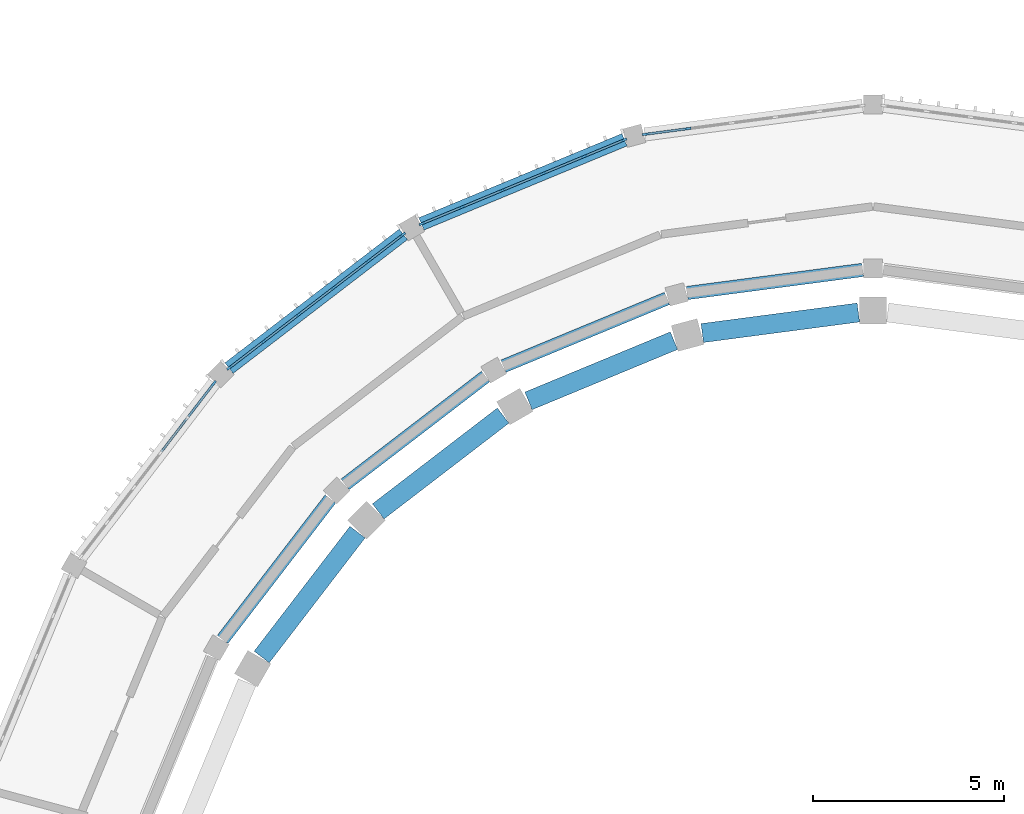
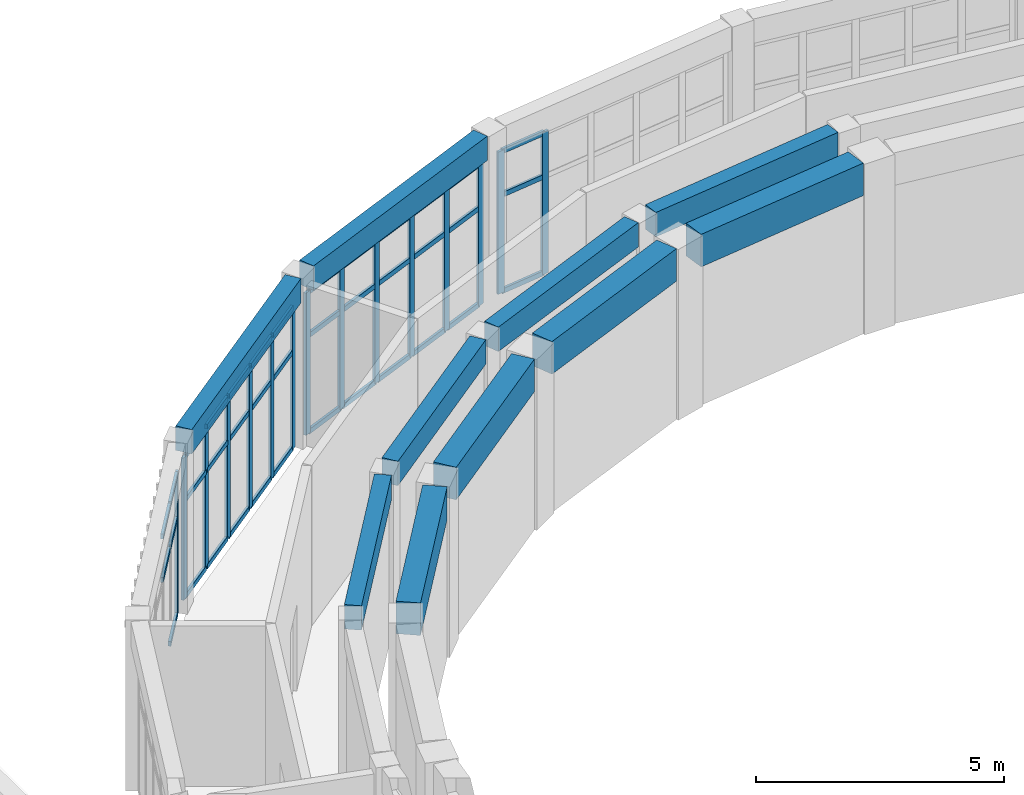
# One storey, part 19 of 99: 53 members, 10 beams, 4 elements without a shape of their own.
"""IFC4 building model written with IfcOpenShell, lengths in metres."""

import ifcopenshell
import ifcopenshell.guid

model = None  # the IFC model being written
_history = None  # IfcOwnerHistory: only IFC2X3 demands one
_inside = {}  # id of a spatial element -> (the spatial element, [elements in it])
_under = {}  # id of a project, library or spatial element -> (it, [spatial elements below it])
_declared = {}  # id of a project -> (the project, [libraries it declares])
_typed = {}  # id of a type object -> (the type object, [elements of that type])
_made_of = {}  # id of a material, layer set ... -> (it, [elements and type objects made of it])


def new_model(schema):
    """Start an empty IFC model of exactly this schema.

    Asked for "IFC4X3", IfcOpenShell would pick the latest addendum, in which some entities
    have other attributes; the version numbers below select the first issue.
    IFC2X3 requires an IfcOwnerHistory on every rooted entity: one is made here for all.
    """
    global model, _history
    if schema == "IFC4X3":
        model = ifcopenshell.file(schema_version=(4, 3, 0, 0))
    else:
        model = ifcopenshell.file(schema=schema)
    _inside.clear()
    _under.clear()
    _declared.clear()
    _typed.clear()
    _made_of.clear()
    _history = None
    if model.schema == "IFC2X3":
        org = make("IfcOrganization", Name="unknown")
        user = make(
            "IfcPersonAndOrganization",
            ThePerson=make("IfcPerson", FamilyName="unknown"),
            TheOrganization=org,
        )
        app = make(
            "IfcApplication",
            ApplicationDeveloper=org,
            Version="unknown",
            ApplicationFullName="unknown",
            ApplicationIdentifier="unknown",
        )
        _history = make(
            "IfcOwnerHistory",
            OwningUser=user,
            OwningApplication=app,
            ChangeAction="ADDED",
            CreationDate=0,
        )
    return model


def make(cls, **values):
    """One entity of the class cls with the attributes given. An attribute that is None is left unset."""
    return model.create_entity(
        cls, **{name: value for name, value in values.items() if value is not None}
    )


def rooted(cls, **values):
    """An entity with a GlobalId (a new one), such as an element, a storey or a relation."""
    return make(cls, GlobalId=ifcopenshell.guid.new(), OwnerHistory=_history, **values)


def si_unit(unit_type, name, prefix=None):
    """IfcSIUnit, for example si_unit("LENGTHUNIT", "METRE", prefix="MILLI")."""
    return make("IfcSIUnit", UnitType=unit_type, Prefix=prefix, Name=name)


def assignment(units):
    """IfcUnitAssignment: the units of a project."""
    return None if units is None else make("IfcUnitAssignment", Units=units)


def point(xyz):
    """IfcCartesianPoint."""
    return None if xyz is None else make("IfcCartesianPoint", Coordinates=xyz)


def direction(xyz):
    """IfcDirection."""
    return None if xyz is None else make("IfcDirection", DirectionRatios=xyz)


def frame(location, z_axis=None, x_axis=None):
    """IfcAxis2Placement3D, a coordinate frame: its origin and axes. An axis left out is left unset."""
    return make(
        "IfcAxis2Placement3D",
        Location=point(location),
        Axis=direction(z_axis),
        RefDirection=direction(x_axis),
    )


def frame_2d(location, x_axis=None):
    """IfcAxis2Placement2D, a coordinate frame in the plane: its origin and x axis."""
    return make(
        "IfcAxis2Placement2D", Location=point(location), RefDirection=direction(x_axis)
    )


def origin():
    """The frame at (0, 0, 0) with its axes left unset."""
    return frame((0.0, 0.0, 0.0))


def origin_2d():
    """The frame at (0, 0) in the plane with its x axis left unset."""
    return frame_2d((0.0, 0.0))


def place(relative_to, where):
    """IfcLocalPlacement: puts the frame where relative to a parent placement (None: the world)."""
    return make(
        "IfcLocalPlacement", PlacementRelTo=relative_to, RelativePlacement=where
    )


def context(
    kind, dimensions, precision=None, world=None, true_north=None, identifier=None
):
    """IfcGeometricRepresentationContext, for example the 3D "Model" context."""
    return make(
        "IfcGeometricRepresentationContext",
        ContextIdentifier=identifier,
        ContextType=kind,
        CoordinateSpaceDimension=dimensions,
        Precision=precision,
        WorldCoordinateSystem=world,
        TrueNorth=true_north,
    )


def subcontext(parent, identifier, kind, view, scale=None):
    """IfcGeometricRepresentationSubContext, for example "Body" below "Model"."""
    return make(
        "IfcGeometricRepresentationSubContext",
        ContextIdentifier=identifier,
        ContextType=kind,
        ParentContext=parent,
        TargetScale=scale,
        TargetView=view,
    )


def project(units=None, contexts=None):
    """IfcProject with its units and contexts."""
    return rooted(
        "IfcProject",
        Name="project",
        RepresentationContexts=contexts,
        UnitsInContext=assignment(units),
    )


def spatial(cls, under=None, at=None, **own):
    """A site, building, storey or space (cls), placed at a placement, below another one or the project."""
    s = rooted(cls, ObjectPlacement=at, **own)
    if under is not None:
        _under.setdefault(under.id(), (under, []))[1].append(s)
    return s


def profile(cls, at=None, kind="AREA", **sizes):
    """A parametric profile (cls). Its sizes go by their IFC names, for example OverallWidth=200.0."""
    return make(cls, ProfileType=kind, Position=at, **sizes)


def rectangle(**sizes):
    """IfcRectangleProfileDef."""
    return profile("IfcRectangleProfileDef", **sizes)


def extrude(swept, where, along, depth):
    """IfcExtrudedAreaSolid: the profile swept, set in the frame where, extruded along a direction by depth."""
    return make(
        "IfcExtrudedAreaSolid",
        SweptArea=swept,
        Position=where,
        ExtrudedDirection=direction(along),
        Depth=depth,
    )


def shape(context_of_items, identifier, shape_type, items):
    """IfcShapeRepresentation: the items that make up one representation, for example the "Body"."""
    return make(
        "IfcShapeRepresentation",
        ContextOfItems=context_of_items,
        RepresentationIdentifier=identifier,
        RepresentationType=shape_type,
        Items=items,
    )


def material(Name=None, Category=None):
    """IfcMaterial."""
    return make("IfcMaterial", Name=Name, Category=Category)


def layer(
    of_material, thickness, ventilated=None, Name=None, Category=None, Priority=None
):
    """IfcMaterialLayer: one layer of a wall or slab, of a material (None: an air gap)."""
    return make(
        "IfcMaterialLayer",
        Material=of_material,
        LayerThickness=thickness,
        IsVentilated=ventilated,
        Name=Name,
        Category=Category,
        Priority=Priority,
    )


def layer_set(layers, Name=None):
    """IfcMaterialLayerSet."""
    return make("IfcMaterialLayerSet", MaterialLayers=layers, LayerSetName=Name)


def material_profile(
    of_material, cross_section, Name=None, Category=None, Priority=None
):
    """IfcMaterialProfile: a cross section and its material."""
    return make(
        "IfcMaterialProfile",
        Name=Name,
        Material=of_material,
        Profile=cross_section,
        Priority=Priority,
        Category=Category,
    )


def profile_set(profiles, Name=None, composite=None):
    """IfcMaterialProfileSet."""
    return make(
        "IfcMaterialProfileSet",
        Name=Name,
        MaterialProfiles=profiles,
        CompositeProfile=composite,
    )


def made_of(thing, what):
    """Note that an element or type object is made of a material, layer set ...; save() writes the relation."""
    if what is not None:
        _made_of.setdefault(what.id(), (what, []))[1].append(thing)
    return thing


def type_object(cls, material=None, **own):
    """A type object (cls), such as IfcWallType, which elements share."""
    return made_of(rooted(cls, **own), material)


def element(
    cls,
    number,
    at=None,
    inside=None,
    cuts=None,
    type_object=None,
    material=None,
    context=None,
    identifier="Body",
    shape_type=None,
    held_by="IfcProductDefinitionShape",
    body=None,
    shapes=None,
    **own,
):
    """One element of the class cls, such as IfcWall. Its Tag is "e" and its number.

    at: its placement. inside: the storey or other place that contains it. cuts: it is an
    opening in that element (IfcRelVoidsElement). A single representation is given by context,
    identifier, shape_type and body (its items); several are given by shapes. held_by: the class
    of the entity that holds the representations. save() writes the other relations.
    """
    e = rooted(cls, Tag="e%d" % number, ObjectPlacement=at, **own)
    if body is not None:
        shapes = [shape(context, identifier, shape_type, body)]
    if shapes is not None:
        e.Representation = make(held_by, Representations=shapes)
    if inside is not None:
        _inside.setdefault(inside.id(), (inside, []))[1].append(e)
    if cuts is not None:
        rooted(
            "IfcRelVoidsElement", RelatingBuildingElement=cuts, RelatedOpeningElement=e
        )
    if type_object is not None:
        _typed.setdefault(type_object.id(), (type_object, []))[1].append(e)
    return made_of(e, material)


def aggregate(whole, parts):
    """IfcRelAggregates: a whole, such as a stair, and the parts it consists of."""
    return rooted("IfcRelAggregates", RelatingObject=whole, RelatedObjects=parts)


def save(model, path):
    """Write the relations noted so far, then the file.

    IfcRelAggregates (storeys below a building ...), IfcRelContainedInSpatialStructure (elements
    in a storey), IfcRelDefinesByType, IfcRelAssociatesMaterial and IfcRelDeclares: one each for
    every whole, place, type object, material and project.
    """
    for whole, parts in _under.values():
        aggregate(whole, parts)
    for where, things in _inside.values():
        rooted(
            "IfcRelContainedInSpatialStructure",
            RelatedElements=things,
            RelatingStructure=where,
        )
    for kind, things in _typed.values():
        rooted("IfcRelDefinesByType", RelatedObjects=things, RelatingType=kind)
    for what, things in _made_of.values():
        rooted("IfcRelAssociatesMaterial", RelatedObjects=things, RelatingMaterial=what)
    for by, libraries in _declared.values():
        rooted("IfcRelDeclares", RelatingContext=by, RelatedDefinitions=libraries)
    model.write(path)


model = new_model("IFC4")

# Units and contexts
model_context = context("Model", 3, precision=1e-05, world=origin(), true_north=direction((0.0, 1.0)))
body_context = subcontext(model_context, "Body", "Model", "MODEL_VIEW")
ifc_project = project(units=[si_unit("LENGTHUNIT", "METRE"), si_unit("AREAUNIT", "SQUARE_METRE"), si_unit("VOLUMEUNIT", "CUBIC_METRE"), si_unit("PLANEANGLEUNIT", "RADIAN"), si_unit("MASSUNIT", "GRAM", prefix="KILO")], contexts=[model_context])

# Site, building, storey
site_placement = place(None, origin())
site = spatial("IfcSite", under=ifc_project, at=site_placement, CompositionType="ELEMENT")
building_placement = place(site_placement, origin())
building = spatial("IfcBuilding", under=site, at=building_placement, Name="Wasatch Bagh Community Centre", CompositionType="ELEMENT")
storey_placement = place(building_placement, frame((0.0, 0.0, 4.199951171875)))
storey = spatial("IfcBuildingStorey", under=building, at=storey_placement, Name="L01", CompositionType="ELEMENT", Elevation=4.199951171875)

# Curtain wall, members
ifc_material_1 = material(Name="Aluminium curtain wall frame with low-iron insulated glass", Category="aluminium")
ifc_layer = layer(ifc_material_1, 0.14990234375)
ifc_layer_set = layer_set([ifc_layer], Name="Aluminium curtain wall frame with low-iron insulated glass")
curtain_wall_type = type_object("IfcCurtainWallType", Name="Drum curtain wall DR-CW2", PredefinedType="NOTDEFINED", material=ifc_layer_set)
curtain_wall_1_placement = place(storey_placement, origin())
curtain_wall_1 = element("IfcCurtainWall", 1, at=curtain_wall_1_placement, inside=storey, type_object=curtain_wall_type, Name="Curtain wall DR-CW2 25", PredefinedType="NOTDEFINED")
ifc_material_2 = material(Name="Aluminium curtain wall frame", Category="aluminium")
ifc_material_profile_1 = material_profile(ifc_material_2, rectangle(XDim=0.06005859375, YDim=0.159912109375, at=origin_2d()), Name="Drum mullion DR-CW2")
ifc_profile_set_1 = profile_set([ifc_material_profile_1], Name="Aluminium curtain wall frame")
member_type_1 = type_object("IfcMemberType", Name="Drum mullion DR-CW2", PredefinedType="MULLION", material=ifc_profile_set_1)
member_1_placement = place(storey_placement, frame((31.15576171875, 88.51220703125, 0.0), z_axis=(0.0, 0.0, 1.0), x_axis=(0.130526192185, -0.991444861378, 0.0)))
member_1 = element("IfcMember", 2, at=member_1_placement, type_object=member_type_1, Name="DR-CW2 mullion 5", PredefinedType="MULLION", context=body_context, shape_type="SweptSolid", body=[
    extrude(rectangle(XDim=0.06005859375, YDim=0.159912109375, at=origin_2d()), origin(), (0.0, 0.0, 1.0), 3.5),
])
member_2_placement = place(storey_placement, frame((30.03955078125, 88.365234375, 0.0), z_axis=(0.0, 0.0, 1.0), x_axis=(0.130526192185, -0.991444861378, 0.0)))
member_2 = element("IfcMember", 3, at=member_2_placement, type_object=member_type_1, Name="DR-CW2 mullion 6", PredefinedType="MULLION", context=body_context, shape_type="SweptSolid", body=[
    extrude(rectangle(XDim=0.06005859375, YDim=0.159912109375, at=origin_2d()), origin(), (0.0, 0.0, 1.0), 3.5),
])

curtain_wall_2_placement = place(storey_placement, origin())
curtain_wall_2 = element("IfcCurtainWall", 4, at=curtain_wall_2_placement, inside=storey, type_object=curtain_wall_type, Name="Curtain wall DR-CW2 26", PredefinedType="NOTDEFINED")
member_3_placement = place(storey_placement, frame((29.479248046875, 88.215087890625, 0.0), z_axis=(0.0, 0.0, 1.0), x_axis=(0.38268343251, -0.923879532451, 0.0)))
member_3 = element("IfcMember", 5, at=member_3_placement, type_object=member_type_1, Name="DR-CW2 mullion 1", PredefinedType="MULLION", context=body_context, shape_type="SweptSolid", body=[
    extrude(rectangle(XDim=0.06005859375, YDim=0.159912109375, at=origin_2d()), origin(), (0.0, 0.0, 1.0), 3.5),
])
member_4_placement = place(storey_placement, frame((28.439208984375, 87.784423828125, 0.0), z_axis=(0.0, 0.0, 1.0), x_axis=(0.38268343251, -0.923879532451, 0.0)))
member_4 = element("IfcMember", 6, at=member_4_placement, type_object=member_type_1, Name="DR-CW2 mullion 2", PredefinedType="MULLION", context=body_context, shape_type="SweptSolid", body=[
    extrude(rectangle(XDim=0.06005859375, YDim=0.159912109375, at=origin_2d()), origin(), (0.0, 0.0, 1.0), 3.5),
])
member_5_placement = place(storey_placement, frame((27.37109375, 87.342041015625, 0.0), z_axis=(0.0, 0.0, 1.0), x_axis=(0.38268343251, -0.923879532451, 0.0)))
member_5 = element("IfcMember", 7, at=member_5_placement, type_object=member_type_1, Name="DR-CW2 mullion 3", PredefinedType="MULLION", context=body_context, shape_type="SweptSolid", body=[
    extrude(rectangle(XDim=0.06005859375, YDim=0.159912109375, at=origin_2d()), origin(), (0.0, 0.0, 1.0), 3.5),
])
member_6_placement = place(storey_placement, frame((26.30322265625, 86.899658203125, 0.0), z_axis=(0.0, 0.0, 1.0), x_axis=(0.38268343251, -0.923879532451, 0.0)))
member_6 = element("IfcMember", 8, at=member_6_placement, type_object=member_type_1, Name="DR-CW2 mullion 4", PredefinedType="MULLION", context=body_context, shape_type="SweptSolid", body=[
    extrude(rectangle(XDim=0.06005859375, YDim=0.159912109375, at=origin_2d()), origin(), (0.0, 0.0, 1.0), 3.5),
])
member_7_placement = place(storey_placement, frame((25.2353515625, 86.457275390625, 0.0), z_axis=(0.0, 0.0, 1.0), x_axis=(0.38268343251, -0.923879532451, 0.0)))
member_7 = element("IfcMember", 9, at=member_7_placement, type_object=member_type_1, Name="DR-CW2 mullion 5", PredefinedType="MULLION", context=body_context, shape_type="SweptSolid", body=[
    extrude(rectangle(XDim=0.06005859375, YDim=0.159912109375, at=origin_2d()), origin(), (0.0, 0.0, 1.0), 3.5),
])
member_8_placement = place(storey_placement, frame((24.1953125, 86.0263671875, 0.0), z_axis=(0.0, 0.0, 1.0), x_axis=(0.38268343251, -0.923879532451, 0.0)))
member_8 = element("IfcMember", 10, at=member_8_placement, type_object=member_type_1, Name="DR-CW2 mullion 6", PredefinedType="MULLION", context=body_context, shape_type="SweptSolid", body=[
    extrude(rectangle(XDim=0.06005859375, YDim=0.159912109375, at=origin_2d()), origin(), (0.0, 0.0, 1.0), 3.5),
])

curtain_wall_3_placement = place(storey_placement, origin())
curtain_wall_3 = element("IfcCurtainWall", 11, at=curtain_wall_3_placement, inside=storey, type_object=curtain_wall_type, Name="Curtain wall DR-CW2 27", PredefinedType="NOTDEFINED")
member_9_placement = place(storey_placement, frame((23.69287109375, 85.736328125, 0.0), z_axis=(0.0, 0.0, 1.0), x_axis=(0.608761429133, -0.793353340196, 0.0)))
member_9 = element("IfcMember", 12, at=member_9_placement, type_object=member_type_1, Name="DR-CW2 mullion 1", PredefinedType="MULLION", context=body_context, shape_type="SweptSolid", body=[
    extrude(rectangle(XDim=0.06005859375, YDim=0.159912109375, at=origin_2d()), origin(), (0.0, 0.0, 1.0), 3.5),
])
member_10_placement = place(storey_placement, frame((22.7998046875, 85.051025390625, 0.0), z_axis=(0.0, 0.0, 1.0), x_axis=(0.608761429133, -0.793353340196, 0.0)))
member_10 = element("IfcMember", 13, at=member_10_placement, type_object=member_type_1, Name="DR-CW2 mullion 2", PredefinedType="MULLION", context=body_context, shape_type="SweptSolid", body=[
    extrude(rectangle(XDim=0.06005859375, YDim=0.159912109375, at=origin_2d()), origin(), (0.0, 0.0, 1.0), 3.5),
])
member_11_placement = place(storey_placement, frame((21.8828125, 84.347412109375, 0.0), z_axis=(0.0, 0.0, 1.0), x_axis=(0.608761429133, -0.793353340196, 0.0)))
member_11 = element("IfcMember", 14, at=member_11_placement, type_object=member_type_1, Name="DR-CW2 mullion 3", PredefinedType="MULLION", context=body_context, shape_type="SweptSolid", body=[
    extrude(rectangle(XDim=0.06005859375, YDim=0.159912109375, at=origin_2d()), origin(), (0.0, 0.0, 1.0), 3.5),
])
member_12_placement = place(storey_placement, frame((20.965576171875, 83.643798828125, 0.0), z_axis=(0.0, 0.0, 1.0), x_axis=(0.608761429133, -0.793353340196, 0.0)))
member_12 = element("IfcMember", 15, at=member_12_placement, type_object=member_type_1, Name="DR-CW2 mullion 4", PredefinedType="MULLION", context=body_context, shape_type="SweptSolid", body=[
    extrude(rectangle(XDim=0.06005859375, YDim=0.159912109375, at=origin_2d()), origin(), (0.0, 0.0, 1.0), 3.5),
])
member_13_placement = place(storey_placement, frame((20.048583984375, 82.940185546875, 0.0), z_axis=(0.0, 0.0, 1.0), x_axis=(0.608761429133, -0.793353340196, 0.0)))
member_13 = element("IfcMember", 16, at=member_13_placement, type_object=member_type_1, Name="DR-CW2 mullion 5", PredefinedType="MULLION", context=body_context, shape_type="SweptSolid", body=[
    extrude(rectangle(XDim=0.06005859375, YDim=0.159912109375, at=origin_2d()), origin(), (0.0, 0.0, 1.0), 3.5),
])
member_14_placement = place(storey_placement, frame((19.155517578125, 82.254638671875, 0.0), z_axis=(0.0, 0.0, 1.0), x_axis=(0.608761429133, -0.793353340196, 0.0)))
member_14 = element("IfcMember", 17, at=member_14_placement, type_object=member_type_1, Name="DR-CW2 mullion 6", PredefinedType="MULLION", context=body_context, shape_type="SweptSolid", body=[
    extrude(rectangle(XDim=0.06005859375, YDim=0.159912109375, at=origin_2d()), origin(), (0.0, 0.0, 1.0), 3.5),
])

# Curtain wall, member
curtain_wall_4_placement = place(storey_placement, origin())
curtain_wall_4 = element("IfcCurtainWall", 18, at=curtain_wall_4_placement, inside=storey, type_object=curtain_wall_type, Name="Curtain wall DR-CW2 28", PredefinedType="NOTDEFINED")
member_15_placement = place(storey_placement, frame((18.745361328125, 81.844482421875, 0.0), z_axis=(0.0, 0.0, 1.0), x_axis=(0.793353340196, -0.608761429133, 0.0)))
member_15 = element("IfcMember", 19, at=member_15_placement, type_object=member_type_1, Name="DR-CW2 mullion 1", PredefinedType="MULLION", context=body_context, shape_type="SweptSolid", body=[
    extrude(rectangle(XDim=0.06005859375, YDim=0.159912109375, at=origin_2d()), origin(), (0.0, 0.0, 1.0), 3.5),
])

# Beams
ifc_material_3 = material(Name="Concrete C35", Category="concrete")
ifc_material_profile_2 = material_profile(ifc_material_3, rectangle(XDim=0.35009765625, YDim=0.60009765625, at=origin_2d()), Name="RC 350x600")
ifc_profile_set_2 = profile_set([ifc_material_profile_2], Name="Concrete C35")
beam_type_1 = type_object("IfcBeamType", Name="Drum ring beam RC 350x600", PredefinedType="BEAM", material=ifc_profile_set_2)
beam_1_placement = place(storey_placement, frame((35.7265625, 84.81396484375, 3.900146484375), z_axis=(-0.99144891089, -0.130495429401, 0.0), x_axis=(0.130495429401, -0.99144891089, 0.0)))
element("IfcBeam", 20, at=beam_1_placement, inside=storey, type_object=beam_type_1, Name="Ring beam 8.4 DI-N6-DI-N7", PredefinedType="BEAM", context=body_context, shape_type="SweptSolid", body=[
    extrude(rectangle(XDim=0.35009765625, YDim=0.60009765625, at=origin_2d()), origin(), (0.0, 0.0, 1.0), 4.63037109375),
])
beam_2_placement = place(storey_placement, frame((30.607666015625, 84.068115234375, 3.900146484375), z_axis=(-0.923884458327, -0.382671540178, 0.0), x_axis=(0.382671540178, -0.923884458327, 0.0)))
element("IfcBeam", 21, at=beam_2_placement, inside=storey, type_object=beam_type_1, Name="Ring beam 8.4 DI-N7-DI-N8", PredefinedType="BEAM", context=body_context, shape_type="SweptSolid", body=[
    extrude(rectangle(XDim=0.35009765625, YDim=0.60009765625, at=origin_2d()), origin(), (0.0, 0.0, 1.0), 4.630615234375),
])
for number, where, z_axis, x_axis, name in (
    (22, (25.856201171875, 82.022705078125, 3.900146484375), (-0.793352555691, -0.608762451519, 0.0), (0.608762451519, -0.793352555691, 0.0), "Ring beam 8.4 DI-N8-DI-N9"),
    (23, (21.796142578125, 78.8173828125, 3.900146484375), (-0.608762451519, -0.793352555691, 0.0), (0.793352555691, -0.608762451519, 0.0), "Ring beam 8.4 DI-N9-DI-N10"),
):
    element("IfcBeam", number, at=place(storey_placement, frame(where, z_axis=z_axis, x_axis=x_axis)), inside=storey, type_object=beam_type_1, Name=name, PredefinedType="BEAM", context=body_context, shape_type="SweptSolid", body=[
        extrude(rectangle(XDim=0.35009765625, YDim=0.60009765625, at=origin_2d()), origin(), (0.0, 0.0, 1.0), 4.63037109375),
    ])
beam_3_placement = place(storey_placement, frame((29.494873046875, 88.2216796875, 3.900146484375), z_axis=(-0.923877183952, -0.38268910224, 0.0), x_axis=(0.38268910224, -0.923877183952, 0.0)))
element("IfcBeam", 24, at=beam_3_placement, inside=storey, type_object=beam_type_1, Name="Ring beam 8.4 DO-N7-DO-N8", PredefinedType="BEAM", context=body_context, shape_type="SweptSolid", body=[
    extrude(rectangle(XDim=0.35009765625, YDim=0.60009765625, at=origin_2d()), origin(), (0.0, 0.0, 1.0), 5.753173828125),
])
beam_4_placement = place(storey_placement, frame((23.706298828125, 85.74658203125, 3.900146484375), z_axis=(-0.793356989288, -0.608756673514, 0.0), x_axis=(0.608756673514, -0.793356989288, 0.0)))
element("IfcBeam", 25, at=beam_4_placement, inside=storey, type_object=beam_type_1, Name="Ring beam 8.4 DO-N8-DO-N9", PredefinedType="BEAM", context=body_context, shape_type="SweptSolid", body=[
    extrude(rectangle(XDim=0.35009765625, YDim=0.60009765625, at=origin_2d()), origin(), (0.0, 0.0, 1.0), 5.7529296875),
])

# Member
ifc_material_profile_3 = material_profile(ifc_material_2, rectangle(XDim=0.06005859375, YDim=0.1201171875, at=origin_2d()), Name="Drum transom DR-CW2")
ifc_profile_set_3 = profile_set([ifc_material_profile_3], Name="Aluminium curtain wall frame")
member_type_2 = type_object("IfcMemberType", Name="Drum transom DR-CW2", PredefinedType="USERDEFINED", material=ifc_profile_set_3)
member_16_placement = place(storey_placement, frame((31.1259765625, 88.50830078125, 0.030029296875), z_axis=(-0.991438694485, -0.130573025845, 0.0), x_axis=(0.130573025845, -0.991438694485, 0.0)))
member_16 = element("IfcMember", 26, at=member_16_placement, type_object=member_type_2, Name="DR-CW2 transom 5.1", ObjectType="TRANSOM", PredefinedType="USERDEFINED", context=body_context, shape_type="SweptSolid", body=[
    extrude(rectangle(XDim=0.06005859375, YDim=0.1201171875, at=origin_2d()), origin(), (0.0, 0.0, 1.0), 1.065673828125),
])

member_17_placement = place(storey_placement, frame((31.1259765625, 88.50830078125, 2.400146484375), z_axis=(-0.991438694485, -0.130573025845, 0.0), x_axis=(0.130573025845, -0.991438694485, 0.0)))
member_17 = element("IfcMember", 27, at=member_17_placement, type_object=member_type_2, Name="DR-CW2 transom 5.2", ObjectType="TRANSOM", PredefinedType="USERDEFINED", context=body_context, shape_type="SweptSolid", body=[
    extrude(rectangle(XDim=0.06005859375, YDim=0.1201171875, at=origin_2d()), origin(), (0.0, 0.0, 1.0), 1.065673828125),
])

member_18_placement = place(storey_placement, frame((31.1259765625, 88.50830078125, 3.469970703125), z_axis=(-0.991438694485, -0.130573025845, 0.0), x_axis=(0.130573025845, -0.991438694485, 0.0)))
member_18 = element("IfcMember", 28, at=member_18_placement, type_object=member_type_2, Name="DR-CW2 transom 5.3", ObjectType="TRANSOM", PredefinedType="USERDEFINED", context=body_context, shape_type="SweptSolid", body=[
    extrude(rectangle(XDim=0.06005859375, YDim=0.1201171875, at=origin_2d()), origin(), (0.0, 0.0, 1.0), 1.065673828125),
])

aggregate(curtain_wall_1, [member_1, member_2, member_16, member_17, member_18])

member_19_placement = place(storey_placement, frame((29.45166015625, 88.20361328125, 0.030029296875), z_axis=(-0.923955432606, -0.382500141907, 0.0), x_axis=(0.382500141907, -0.923955432606, 0.0)))
member_19 = element("IfcMember", 29, at=member_19_placement, type_object=member_type_2, Name="DR-CW2 transom 1.1", ObjectType="TRANSOM", PredefinedType="USERDEFINED", context=body_context, shape_type="SweptSolid", body=[
    extrude(rectangle(XDim=0.06005859375, YDim=0.1201171875, at=origin_2d()), origin(), (0.0, 0.0, 1.0), 1.06591796875),
])

member_20_placement = place(storey_placement, frame((29.45166015625, 88.20361328125, 2.400146484375), z_axis=(-0.923955432606, -0.382500141907, 0.0), x_axis=(0.382500141907, -0.923955432606, 0.0)))
member_20 = element("IfcMember", 30, at=member_20_placement, type_object=member_type_2, Name="DR-CW2 transom 1.2", ObjectType="TRANSOM", PredefinedType="USERDEFINED", context=body_context, shape_type="SweptSolid", body=[
    extrude(rectangle(XDim=0.06005859375, YDim=0.1201171875, at=origin_2d()), origin(), (0.0, 0.0, 1.0), 1.06591796875),
])

member_21_placement = place(storey_placement, frame((29.45166015625, 88.20361328125, 3.469970703125), z_axis=(-0.923955432606, -0.382500141907, 0.0), x_axis=(0.382500141907, -0.923955432606, 0.0)))
member_21 = element("IfcMember", 31, at=member_21_placement, type_object=member_type_2, Name="DR-CW2 transom 1.3", ObjectType="TRANSOM", PredefinedType="USERDEFINED", context=body_context, shape_type="SweptSolid", body=[
    extrude(rectangle(XDim=0.06005859375, YDim=0.1201171875, at=origin_2d()), origin(), (0.0, 0.0, 1.0), 1.06591796875),
])

member_22_placement = place(storey_placement, frame((28.411376953125, 87.77294921875, 0.030029296875), z_axis=(-0.923859339579, -0.382732178779, 0.0), x_axis=(0.382732178779, -0.923859339579, 0.0)))
member_22 = element("IfcMember", 32, at=member_22_placement, type_object=member_type_2, Name="DR-CW2 transom 2.1", ObjectType="TRANSOM", PredefinedType="USERDEFINED", context=body_context, shape_type="SweptSolid", body=[
    extrude(rectangle(XDim=0.06005859375, YDim=0.1201171875, at=origin_2d()), origin(), (0.0, 0.0, 1.0), 1.095947265625),
])

member_23_placement = place(storey_placement, frame((28.411376953125, 87.77294921875, 2.400146484375), z_axis=(-0.923859339579, -0.382732178779, 0.0), x_axis=(0.382732178779, -0.923859339579, 0.0)))
member_23 = element("IfcMember", 33, at=member_23_placement, type_object=member_type_2, Name="DR-CW2 transom 2.2", ObjectType="TRANSOM", PredefinedType="USERDEFINED", context=body_context, shape_type="SweptSolid", body=[
    extrude(rectangle(XDim=0.06005859375, YDim=0.1201171875, at=origin_2d()), origin(), (0.0, 0.0, 1.0), 1.095947265625),
])

member_24_placement = place(storey_placement, frame((28.411376953125, 87.77294921875, 3.469970703125), z_axis=(-0.923859339579, -0.382732178779, 0.0), x_axis=(0.382732178779, -0.923859339579, 0.0)))
member_24 = element("IfcMember", 34, at=member_24_placement, type_object=member_type_2, Name="DR-CW2 transom 2.3", ObjectType="TRANSOM", PredefinedType="USERDEFINED", context=body_context, shape_type="SweptSolid", body=[
    extrude(rectangle(XDim=0.06005859375, YDim=0.1201171875, at=origin_2d()), origin(), (0.0, 0.0, 1.0), 1.095947265625),
])

member_25_placement = place(storey_placement, frame((27.343505859375, 87.33056640625, 0.030029296875), z_axis=(-0.923859339579, -0.382732178779, 0.0), x_axis=(0.382732178779, -0.923859339579, 0.0)))
member_25 = element("IfcMember", 35, at=member_25_placement, type_object=member_type_2, Name="DR-CW2 transom 3.1", ObjectType="TRANSOM", PredefinedType="USERDEFINED", context=body_context, shape_type="SweptSolid", body=[
    extrude(rectangle(XDim=0.06005859375, YDim=0.1201171875, at=origin_2d()), origin(), (0.0, 0.0, 1.0), 1.095947265625),
])

member_26_placement = place(storey_placement, frame((27.343505859375, 87.33056640625, 2.400146484375), z_axis=(-0.923859339579, -0.382732178779, 0.0), x_axis=(0.382732178779, -0.923859339579, 0.0)))
member_26 = element("IfcMember", 36, at=member_26_placement, type_object=member_type_2, Name="DR-CW2 transom 3.2", ObjectType="TRANSOM", PredefinedType="USERDEFINED", context=body_context, shape_type="SweptSolid", body=[
    extrude(rectangle(XDim=0.06005859375, YDim=0.1201171875, at=origin_2d()), origin(), (0.0, 0.0, 1.0), 1.095947265625),
])

member_27_placement = place(storey_placement, frame((27.343505859375, 87.33056640625, 3.469970703125), z_axis=(-0.923859339579, -0.382732178779, 0.0), x_axis=(0.382732178779, -0.923859339579, 0.0)))
member_27 = element("IfcMember", 37, at=member_27_placement, type_object=member_type_2, Name="DR-CW2 transom 3.3", ObjectType="TRANSOM", PredefinedType="USERDEFINED", context=body_context, shape_type="SweptSolid", body=[
    extrude(rectangle(XDim=0.06005859375, YDim=0.1201171875, at=origin_2d()), origin(), (0.0, 0.0, 1.0), 1.095947265625),
])

member_28_placement = place(storey_placement, frame((26.275634765625, 86.88818359375, 0.030029296875), z_axis=(-0.923859339579, -0.382732178779, 0.0), x_axis=(0.382732178779, -0.923859339579, 0.0)))
member_28 = element("IfcMember", 38, at=member_28_placement, type_object=member_type_2, Name="DR-CW2 transom 4.1", ObjectType="TRANSOM", PredefinedType="USERDEFINED", context=body_context, shape_type="SweptSolid", body=[
    extrude(rectangle(XDim=0.06005859375, YDim=0.1201171875, at=origin_2d()), origin(), (0.0, 0.0, 1.0), 1.095947265625),
])

member_29_placement = place(storey_placement, frame((26.275634765625, 86.88818359375, 2.400146484375), z_axis=(-0.923859339579, -0.382732178779, 0.0), x_axis=(0.382732178779, -0.923859339579, 0.0)))
member_29 = element("IfcMember", 39, at=member_29_placement, type_object=member_type_2, Name="DR-CW2 transom 4.2", ObjectType="TRANSOM", PredefinedType="USERDEFINED", context=body_context, shape_type="SweptSolid", body=[
    extrude(rectangle(XDim=0.06005859375, YDim=0.1201171875, at=origin_2d()), origin(), (0.0, 0.0, 1.0), 1.095947265625),
])

member_30_placement = place(storey_placement, frame((26.275634765625, 86.88818359375, 3.469970703125), z_axis=(-0.923859339579, -0.382732178779, 0.0), x_axis=(0.382732178779, -0.923859339579, 0.0)))
member_30 = element("IfcMember", 40, at=member_30_placement, type_object=member_type_2, Name="DR-CW2 transom 4.3", ObjectType="TRANSOM", PredefinedType="USERDEFINED", context=body_context, shape_type="SweptSolid", body=[
    extrude(rectangle(XDim=0.06005859375, YDim=0.1201171875, at=origin_2d()), origin(), (0.0, 0.0, 1.0), 1.095947265625),
])

member_31_placement = place(storey_placement, frame((25.207763671875, 86.44580078125, 0.030029296875), z_axis=(-0.923874472572, -0.38269564791, 0.0), x_axis=(0.38269564791, -0.923874472572, 0.0)))
member_31 = element("IfcMember", 41, at=member_31_placement, type_object=member_type_2, Name="DR-CW2 transom 5.1", ObjectType="TRANSOM", PredefinedType="USERDEFINED", context=body_context, shape_type="SweptSolid", body=[
    extrude(rectangle(XDim=0.06005859375, YDim=0.1201171875, at=origin_2d()), origin(), (0.0, 0.0, 1.0), 1.06591796875),
])

member_32_placement = place(storey_placement, frame((25.207763671875, 86.44580078125, 2.400146484375), z_axis=(-0.923874472572, -0.38269564791, 0.0), x_axis=(0.38269564791, -0.923874472572, 0.0)))
member_32 = element("IfcMember", 42, at=member_32_placement, type_object=member_type_2, Name="DR-CW2 transom 5.2", ObjectType="TRANSOM", PredefinedType="USERDEFINED", context=body_context, shape_type="SweptSolid", body=[
    extrude(rectangle(XDim=0.06005859375, YDim=0.1201171875, at=origin_2d()), origin(), (0.0, 0.0, 1.0), 1.06591796875),
])

member_33_placement = place(storey_placement, frame((25.207763671875, 86.44580078125, 3.469970703125), z_axis=(-0.923874472572, -0.38269564791, 0.0), x_axis=(0.38269564791, -0.923874472572, 0.0)))
member_33 = element("IfcMember", 43, at=member_33_placement, type_object=member_type_2, Name="DR-CW2 transom 5.3", ObjectType="TRANSOM", PredefinedType="USERDEFINED", context=body_context, shape_type="SweptSolid", body=[
    extrude(rectangle(XDim=0.06005859375, YDim=0.1201171875, at=origin_2d()), origin(), (0.0, 0.0, 1.0), 1.06591796875),
])

aggregate(curtain_wall_2, [member_3, member_4, member_5, member_6, member_7, member_8, member_19, member_20, member_21, member_22, member_23, member_24, member_25, member_26, member_27, member_28, member_29, member_30, member_31, member_32, member_33])

member_34_placement = place(storey_placement, frame((23.669189453125, 85.71826171875, 0.030029296875), z_axis=(-0.793355628453, -0.608758447006, 0.0), x_axis=(0.608758447006, -0.793355628453, 0.0)))
member_34 = element("IfcMember", 44, at=member_34_placement, type_object=member_type_2, Name="DR-CW2 transom 1.1", ObjectType="TRANSOM", PredefinedType="USERDEFINED", context=body_context, shape_type="SweptSolid", body=[
    extrude(rectangle(XDim=0.06005859375, YDim=0.1201171875, at=origin_2d()), origin(), (0.0, 0.0, 1.0), 1.06591796875),
])

member_35_placement = place(storey_placement, frame((23.669189453125, 85.71826171875, 2.400146484375), z_axis=(-0.793355628453, -0.608758447006, 0.0), x_axis=(0.608758447006, -0.793355628453, 0.0)))
member_35 = element("IfcMember", 45, at=member_35_placement, type_object=member_type_2, Name="DR-CW2 transom 1.2", ObjectType="TRANSOM", PredefinedType="USERDEFINED", context=body_context, shape_type="SweptSolid", body=[
    extrude(rectangle(XDim=0.06005859375, YDim=0.1201171875, at=origin_2d()), origin(), (0.0, 0.0, 1.0), 1.06591796875),
])

member_36_placement = place(storey_placement, frame((23.669189453125, 85.71826171875, 3.469970703125), z_axis=(-0.793355628453, -0.608758447006, 0.0), x_axis=(0.608758447006, -0.793355628453, 0.0)))
member_36 = element("IfcMember", 46, at=member_36_placement, type_object=member_type_2, Name="DR-CW2 transom 1.3", ObjectType="TRANSOM", PredefinedType="USERDEFINED", context=body_context, shape_type="SweptSolid", body=[
    extrude(rectangle(XDim=0.06005859375, YDim=0.1201171875, at=origin_2d()), origin(), (0.0, 0.0, 1.0), 1.06591796875),
])

member_37_placement = place(storey_placement, frame((22.77587890625, 85.03271484375, 0.030029296875), z_axis=(-0.793401911405, -0.608698124672, 0.0), x_axis=(0.608698124672, -0.793401911405, 0.0)))
member_37 = element("IfcMember", 47, at=member_37_placement, type_object=member_type_2, Name="DR-CW2 transom 2.1", ObjectType="TRANSOM", PredefinedType="USERDEFINED", context=body_context, shape_type="SweptSolid", body=[
    extrude(rectangle(XDim=0.06005859375, YDim=0.1201171875, at=origin_2d()), origin(), (0.0, 0.0, 1.0), 1.095703125),
])

member_38_placement = place(storey_placement, frame((22.77587890625, 85.03271484375, 2.400146484375), z_axis=(-0.793401911405, -0.608698124672, 0.0), x_axis=(0.608698124672, -0.793401911405, 0.0)))
member_38 = element("IfcMember", 48, at=member_38_placement, type_object=member_type_2, Name="DR-CW2 transom 2.2", ObjectType="TRANSOM", PredefinedType="USERDEFINED", context=body_context, shape_type="SweptSolid", body=[
    extrude(rectangle(XDim=0.06005859375, YDim=0.1201171875, at=origin_2d()), origin(), (0.0, 0.0, 1.0), 1.095703125),
])

member_39_placement = place(storey_placement, frame((22.77587890625, 85.03271484375, 3.469970703125), z_axis=(-0.793401911405, -0.608698124672, 0.0), x_axis=(0.608698124672, -0.793401911405, 0.0)))
member_39 = element("IfcMember", 49, at=member_39_placement, type_object=member_type_2, Name="DR-CW2 transom 2.3", ObjectType="TRANSOM", PredefinedType="USERDEFINED", context=body_context, shape_type="SweptSolid", body=[
    extrude(rectangle(XDim=0.06005859375, YDim=0.1201171875, at=origin_2d()), origin(), (0.0, 0.0, 1.0), 1.095703125),
])

member_40_placement = place(storey_placement, frame((21.85888671875, 84.3291015625, 0.030029296875), z_axis=(-0.793401911405, -0.608698124672, 0.0), x_axis=(0.608698124672, -0.793401911405, 0.0)))
member_40 = element("IfcMember", 50, at=member_40_placement, type_object=member_type_2, Name="DR-CW2 transom 3.1", ObjectType="TRANSOM", PredefinedType="USERDEFINED", context=body_context, shape_type="SweptSolid", body=[
    extrude(rectangle(XDim=0.06005859375, YDim=0.1201171875, at=origin_2d()), origin(), (0.0, 0.0, 1.0), 1.095703125),
])

member_41_placement = place(storey_placement, frame((21.85888671875, 84.3291015625, 2.400146484375), z_axis=(-0.793401911405, -0.608698124672, 0.0), x_axis=(0.608698124672, -0.793401911405, 0.0)))
member_41 = element("IfcMember", 51, at=member_41_placement, type_object=member_type_2, Name="DR-CW2 transom 3.2", ObjectType="TRANSOM", PredefinedType="USERDEFINED", context=body_context, shape_type="SweptSolid", body=[
    extrude(rectangle(XDim=0.06005859375, YDim=0.1201171875, at=origin_2d()), origin(), (0.0, 0.0, 1.0), 1.095703125),
])

member_42_placement = place(storey_placement, frame((21.85888671875, 84.3291015625, 3.469970703125), z_axis=(-0.793401911405, -0.608698124672, 0.0), x_axis=(0.608698124672, -0.793401911405, 0.0)))
member_42 = element("IfcMember", 52, at=member_42_placement, type_object=member_type_2, Name="DR-CW2 transom 3.3", ObjectType="TRANSOM", PredefinedType="USERDEFINED", context=body_context, shape_type="SweptSolid", body=[
    extrude(rectangle(XDim=0.06005859375, YDim=0.1201171875, at=origin_2d()), origin(), (0.0, 0.0, 1.0), 1.095703125),
])

member_43_placement = place(storey_placement, frame((20.94189453125, 83.62548828125, 0.030029296875), z_axis=(-0.793294312563, -0.608838347721, 0.0), x_axis=(0.608838347721, -0.793294312563, 0.0)))
member_43 = element("IfcMember", 53, at=member_43_placement, type_object=member_type_2, Name="DR-CW2 transom 4.1", ObjectType="TRANSOM", PredefinedType="USERDEFINED", context=body_context, shape_type="SweptSolid", body=[
    extrude(rectangle(XDim=0.06005859375, YDim=0.1201171875, at=origin_2d()), origin(), (0.0, 0.0, 1.0), 1.095947265625),
])

member_44_placement = place(storey_placement, frame((20.94189453125, 83.62548828125, 2.400146484375), z_axis=(-0.793294312563, -0.608838347721, 0.0), x_axis=(0.608838347721, -0.793294312563, 0.0)))
member_44 = element("IfcMember", 54, at=member_44_placement, type_object=member_type_2, Name="DR-CW2 transom 4.2", ObjectType="TRANSOM", PredefinedType="USERDEFINED", context=body_context, shape_type="SweptSolid", body=[
    extrude(rectangle(XDim=0.06005859375, YDim=0.1201171875, at=origin_2d()), origin(), (0.0, 0.0, 1.0), 1.095947265625),
])

member_45_placement = place(storey_placement, frame((20.94189453125, 83.62548828125, 3.469970703125), z_axis=(-0.793294312563, -0.608838347721, 0.0), x_axis=(0.608838347721, -0.793294312563, 0.0)))
member_45 = element("IfcMember", 55, at=member_45_placement, type_object=member_type_2, Name="DR-CW2 transom 4.3", ObjectType="TRANSOM", PredefinedType="USERDEFINED", context=body_context, shape_type="SweptSolid", body=[
    extrude(rectangle(XDim=0.06005859375, YDim=0.1201171875, at=origin_2d()), origin(), (0.0, 0.0, 1.0), 1.095947265625),
])

member_46_placement = place(storey_placement, frame((20.02490234375, 82.921875, 0.030029296875), z_axis=(-0.793355628453, -0.608758447006, 0.0), x_axis=(0.608758447006, -0.793355628453, 0.0)))
member_46 = element("IfcMember", 56, at=member_46_placement, type_object=member_type_2, Name="DR-CW2 transom 5.1", ObjectType="TRANSOM", PredefinedType="USERDEFINED", context=body_context, shape_type="SweptSolid", body=[
    extrude(rectangle(XDim=0.06005859375, YDim=0.1201171875, at=origin_2d()), origin(), (0.0, 0.0, 1.0), 1.06591796875),
])

member_47_placement = place(storey_placement, frame((20.02490234375, 82.921875, 2.400146484375), z_axis=(-0.793355628453, -0.608758447006, 0.0), x_axis=(0.608758447006, -0.793355628453, 0.0)))
member_47 = element("IfcMember", 57, at=member_47_placement, type_object=member_type_2, Name="DR-CW2 transom 5.2", ObjectType="TRANSOM", PredefinedType="USERDEFINED", context=body_context, shape_type="SweptSolid", body=[
    extrude(rectangle(XDim=0.06005859375, YDim=0.1201171875, at=origin_2d()), origin(), (0.0, 0.0, 1.0), 1.06591796875),
])

member_48_placement = place(storey_placement, frame((20.02490234375, 82.921875, 3.469970703125), z_axis=(-0.793355628453, -0.608758447006, 0.0), x_axis=(0.608758447006, -0.793355628453, 0.0)))
member_48 = element("IfcMember", 58, at=member_48_placement, type_object=member_type_2, Name="DR-CW2 transom 5.3", ObjectType="TRANSOM", PredefinedType="USERDEFINED", context=body_context, shape_type="SweptSolid", body=[
    extrude(rectangle(XDim=0.06005859375, YDim=0.1201171875, at=origin_2d()), origin(), (0.0, 0.0, 1.0), 1.06591796875),
])

aggregate(curtain_wall_3, [member_9, member_10, member_11, member_12, member_13, member_14, member_34, member_35, member_36, member_37, member_38, member_39, member_40, member_41, member_42, member_43, member_44, member_45, member_46, member_47, member_48])

member_49_placement = place(storey_placement, frame((18.72705078125, 81.82080078125, 0.030029296875), z_axis=(-0.608758447006, -0.793355628453, 0.0), x_axis=(0.793355628453, -0.608758447006, 0.0)))
member_49 = element("IfcMember", 59, at=member_49_placement, type_object=member_type_2, Name="DR-CW2 transom 1.1", ObjectType="TRANSOM", PredefinedType="USERDEFINED", context=body_context, shape_type="SweptSolid", body=[
    extrude(rectangle(XDim=0.06005859375, YDim=0.1201171875, at=origin_2d()), origin(), (0.0, 0.0, 1.0), 1.06591796875),
])

member_50_placement = place(storey_placement, frame((18.72705078125, 81.82080078125, 2.400146484375), z_axis=(-0.608758447006, -0.793355628453, 0.0), x_axis=(0.793355628453, -0.608758447006, 0.0)))
member_50 = element("IfcMember", 60, at=member_50_placement, type_object=member_type_2, Name="DR-CW2 transom 1.2", ObjectType="TRANSOM", PredefinedType="USERDEFINED", context=body_context, shape_type="SweptSolid", body=[
    extrude(rectangle(XDim=0.06005859375, YDim=0.1201171875, at=origin_2d()), origin(), (0.0, 0.0, 1.0), 1.06591796875),
])

member_51_placement = place(storey_placement, frame((18.72705078125, 81.82080078125, 3.469970703125), z_axis=(-0.608758447006, -0.793355628453, 0.0), x_axis=(0.793355628453, -0.608758447006, 0.0)))
member_51 = element("IfcMember", 61, at=member_51_placement, type_object=member_type_2, Name="DR-CW2 transom 1.3", ObjectType="TRANSOM", PredefinedType="USERDEFINED", context=body_context, shape_type="SweptSolid", body=[
    extrude(rectangle(XDim=0.06005859375, YDim=0.1201171875, at=origin_2d()), origin(), (0.0, 0.0, 1.0), 1.06591796875),
])

member_52_placement = place(storey_placement, frame((18.041748046875, 80.927490234375, 2.400146484375), z_axis=(-0.608838347721, -0.793294312563, 0.0), x_axis=(0.793294312563, -0.608838347721, 0.0)))
member_52 = element("IfcMember", 62, at=member_52_placement, type_object=member_type_2, Name="DR-CW2 transom 2.2", ObjectType="TRANSOM", PredefinedType="USERDEFINED", context=body_context, shape_type="SweptSolid", body=[
    extrude(rectangle(XDim=0.06005859375, YDim=0.1201171875, at=origin_2d()), origin(), (0.0, 0.0, 1.0), 1.095947265625),
])

member_53_placement = place(storey_placement, frame((18.041748046875, 80.927490234375, 3.469970703125), z_axis=(-0.608838347721, -0.793294312563, 0.0), x_axis=(0.793294312563, -0.608838347721, 0.0)))
member_53 = element("IfcMember", 63, at=member_53_placement, type_object=member_type_2, Name="DR-CW2 transom 2.3", ObjectType="TRANSOM", PredefinedType="USERDEFINED", context=body_context, shape_type="SweptSolid", body=[
    extrude(rectangle(XDim=0.06005859375, YDim=0.1201171875, at=origin_2d()), origin(), (0.0, 0.0, 1.0), 1.095947265625),
])

aggregate(curtain_wall_4, [member_15, member_49, member_50, member_51, member_52, member_53])

# Beams
ifc_material_profile_4 = material_profile(ifc_material_3, rectangle(XDim=0.5, YDim=0.800048828125, at=origin_2d()), Name="RC 500x800")
ifc_profile_set_4 = profile_set([ifc_material_profile_4], Name="Concrete C35")
beam_type_2 = type_object("IfcBeamType", Name="MH ring beam RC 500x800", PredefinedType="BEAM", material=ifc_profile_set_4)
for number, where, z_axis, x_axis, name in (
    (64, (35.616943359375, 83.699462890625, 3.800048828125), (-0.991450464722, -0.130483623501, 0.0), (0.130483623501, -0.991450464722, 0.0), "Ring beam 8.4 N6-N7"),
    (65, (30.7900390625, 82.963134765625, 3.800048828125), (-0.923877504262, -0.382688328955, 0.0), (0.382688328955, -0.923877504262, 0.0), "Ring beam 8.4 N7-N8"),
    (66, (26.318359375, 81.002685546875, 3.800048828125), (-0.793341258985, -0.60877717335, 0.0), (0.60877717335, -0.793341258985, 0.0), "Ring beam 8.4 N8-N9"),
    (67, (22.506591796875, 77.95166015625, 3.800048828125), (-0.60877717335, -0.793341258985, 0.0), (0.793341258985, -0.60877717335, 0.0), "Ring beam 8.4 N9-N10"),
):
    element("IfcBeam", number, at=place(storey_placement, frame(where, z_axis=z_axis, x_axis=x_axis)), inside=storey, type_object=beam_type_2, Name=name, PredefinedType="BEAM", context=body_context, shape_type="SweptSolid", body=[
        extrude(rectangle(XDim=0.5, YDim=0.800048828125, at=origin_2d()), origin(), (0.0, 0.0, 1.0), 4.121826171875),
    ])

save(model, "model.ifc")
